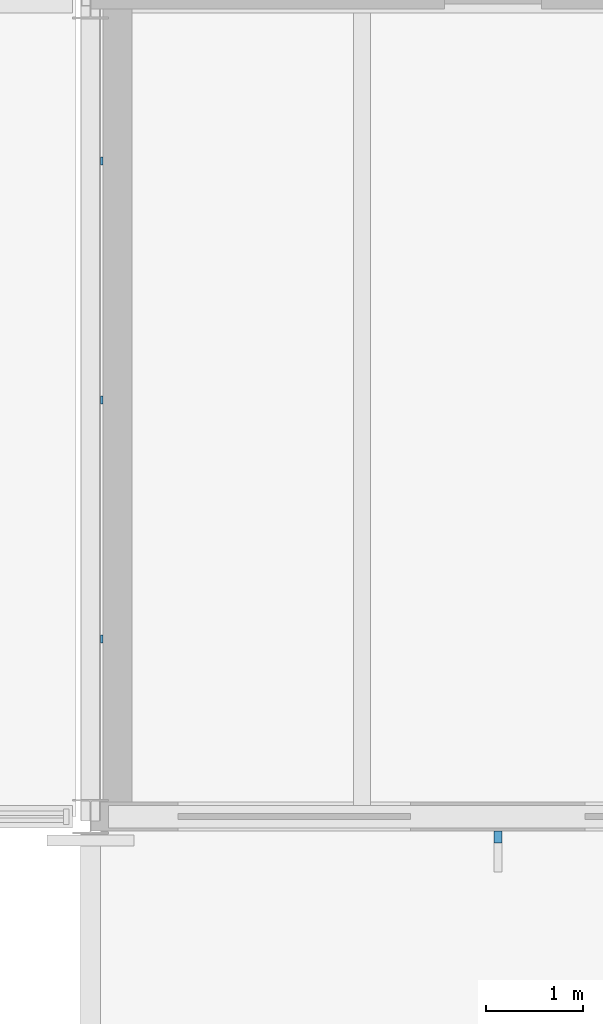
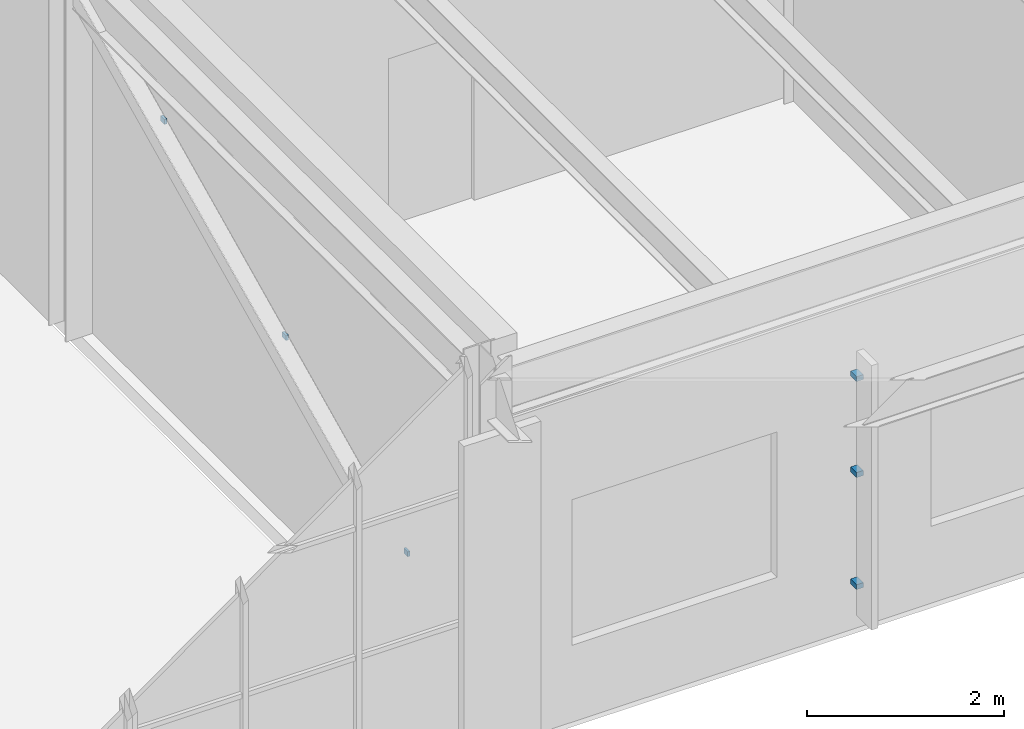
# One storey, part 95 of 116: 6 discrete accessories.
"""IFC4 building model written with IfcOpenShell, lengths in metres."""

import ifcopenshell
import ifcopenshell.guid

model = None  # the IFC model being written
_history = None  # IfcOwnerHistory: only IFC2X3 demands one
_inside = {}  # id of a spatial element -> (the spatial element, [elements in it])
_under = {}  # id of a project, library or spatial element -> (it, [spatial elements below it])
_declared = {}  # id of a project -> (the project, [libraries it declares])
_typed = {}  # id of a type object -> (the type object, [elements of that type])
_made_of = {}  # id of a material, layer set ... -> (it, [elements and type objects made of it])


def new_model(schema):
    """Start an empty IFC model of exactly this schema.

    Asked for "IFC4X3", IfcOpenShell would pick the latest addendum, in which some entities
    have other attributes; the version numbers below select the first issue.
    IFC2X3 requires an IfcOwnerHistory on every rooted entity: one is made here for all.
    """
    global model, _history
    if schema == "IFC4X3":
        model = ifcopenshell.file(schema_version=(4, 3, 0, 0))
    else:
        model = ifcopenshell.file(schema=schema)
    _inside.clear()
    _under.clear()
    _declared.clear()
    _typed.clear()
    _made_of.clear()
    _history = None
    if model.schema == "IFC2X3":
        org = make("IfcOrganization", Name="unknown")
        user = make(
            "IfcPersonAndOrganization",
            ThePerson=make("IfcPerson", FamilyName="unknown"),
            TheOrganization=org,
        )
        app = make(
            "IfcApplication",
            ApplicationDeveloper=org,
            Version="unknown",
            ApplicationFullName="unknown",
            ApplicationIdentifier="unknown",
        )
        _history = make(
            "IfcOwnerHistory",
            OwningUser=user,
            OwningApplication=app,
            ChangeAction="ADDED",
            CreationDate=0,
        )
    return model


def make(cls, **values):
    """One entity of the class cls with the attributes given. An attribute that is None is left unset."""
    return model.create_entity(
        cls, **{name: value for name, value in values.items() if value is not None}
    )


def rooted(cls, **values):
    """An entity with a GlobalId (a new one), such as an element, a storey or a relation."""
    return make(cls, GlobalId=ifcopenshell.guid.new(), OwnerHistory=_history, **values)


def si_unit(unit_type, name, prefix=None):
    """IfcSIUnit, for example si_unit("LENGTHUNIT", "METRE", prefix="MILLI")."""
    return make("IfcSIUnit", UnitType=unit_type, Prefix=prefix, Name=name)


def assignment(units):
    """IfcUnitAssignment: the units of a project."""
    return None if units is None else make("IfcUnitAssignment", Units=units)


def point(xyz):
    """IfcCartesianPoint."""
    return None if xyz is None else make("IfcCartesianPoint", Coordinates=xyz)


def direction(xyz):
    """IfcDirection."""
    return None if xyz is None else make("IfcDirection", DirectionRatios=xyz)


def frame(location, z_axis=None, x_axis=None):
    """IfcAxis2Placement3D, a coordinate frame: its origin and axes. An axis left out is left unset."""
    return make(
        "IfcAxis2Placement3D",
        Location=point(location),
        Axis=direction(z_axis),
        RefDirection=direction(x_axis),
    )


def frame_2d(location, x_axis=None):
    """IfcAxis2Placement2D, a coordinate frame in the plane: its origin and x axis."""
    return make(
        "IfcAxis2Placement2D", Location=point(location), RefDirection=direction(x_axis)
    )


def origin():
    """The frame at (0, 0, 0) with its axes left unset."""
    return frame((0.0, 0.0, 0.0))


def origin_2d():
    """The frame at (0, 0) in the plane with its x axis left unset."""
    return frame_2d((0.0, 0.0))


def place(relative_to, where):
    """IfcLocalPlacement: puts the frame where relative to a parent placement (None: the world)."""
    return make(
        "IfcLocalPlacement", PlacementRelTo=relative_to, RelativePlacement=where
    )


def context(
    kind, dimensions, precision=None, world=None, true_north=None, identifier=None
):
    """IfcGeometricRepresentationContext, for example the 3D "Model" context."""
    return make(
        "IfcGeometricRepresentationContext",
        ContextIdentifier=identifier,
        ContextType=kind,
        CoordinateSpaceDimension=dimensions,
        Precision=precision,
        WorldCoordinateSystem=world,
        TrueNorth=true_north,
    )


def subcontext(parent, identifier, kind, view, scale=None):
    """IfcGeometricRepresentationSubContext, for example "Body" below "Model"."""
    return make(
        "IfcGeometricRepresentationSubContext",
        ContextIdentifier=identifier,
        ContextType=kind,
        ParentContext=parent,
        TargetScale=scale,
        TargetView=view,
    )


def project(units=None, contexts=None):
    """IfcProject with its units and contexts."""
    return rooted(
        "IfcProject",
        Name="project",
        RepresentationContexts=contexts,
        UnitsInContext=assignment(units),
    )


def spatial(cls, under=None, at=None, **own):
    """A site, building, storey or space (cls), placed at a placement, below another one or the project."""
    s = rooted(cls, ObjectPlacement=at, **own)
    if under is not None:
        _under.setdefault(under.id(), (under, []))[1].append(s)
    return s


def profile(cls, at=None, kind="AREA", **sizes):
    """A parametric profile (cls). Its sizes go by their IFC names, for example OverallWidth=200.0."""
    return make(cls, ProfileType=kind, Position=at, **sizes)


def rectangle(**sizes):
    """IfcRectangleProfileDef."""
    return profile("IfcRectangleProfileDef", **sizes)


def extrude(swept, where, along, depth):
    """IfcExtrudedAreaSolid: the profile swept, set in the frame where, extruded along a direction by depth."""
    return make(
        "IfcExtrudedAreaSolid",
        SweptArea=swept,
        Position=where,
        ExtrudedDirection=direction(along),
        Depth=depth,
    )


def shape(context_of_items, identifier, shape_type, items):
    """IfcShapeRepresentation: the items that make up one representation, for example the "Body"."""
    return make(
        "IfcShapeRepresentation",
        ContextOfItems=context_of_items,
        RepresentationIdentifier=identifier,
        RepresentationType=shape_type,
        Items=items,
    )


def material(Name=None, Category=None):
    """IfcMaterial."""
    return make("IfcMaterial", Name=Name, Category=Category)


def made_of(thing, what):
    """Note that an element or type object is made of a material, layer set ...; save() writes the relation."""
    if what is not None:
        _made_of.setdefault(what.id(), (what, []))[1].append(thing)
    return thing


def type_object(cls, material=None, **own):
    """A type object (cls), such as IfcWallType, which elements share."""
    return made_of(rooted(cls, **own), material)


def element(
    cls,
    number,
    at=None,
    inside=None,
    cuts=None,
    type_object=None,
    material=None,
    context=None,
    identifier="Body",
    shape_type=None,
    held_by="IfcProductDefinitionShape",
    body=None,
    shapes=None,
    **own,
):
    """One element of the class cls, such as IfcWall. Its Tag is "e" and its number.

    at: its placement. inside: the storey or other place that contains it. cuts: it is an
    opening in that element (IfcRelVoidsElement). A single representation is given by context,
    identifier, shape_type and body (its items); several are given by shapes. held_by: the class
    of the entity that holds the representations. save() writes the other relations.
    """
    e = rooted(cls, Tag="e%d" % number, ObjectPlacement=at, **own)
    if body is not None:
        shapes = [shape(context, identifier, shape_type, body)]
    if shapes is not None:
        e.Representation = make(held_by, Representations=shapes)
    if inside is not None:
        _inside.setdefault(inside.id(), (inside, []))[1].append(e)
    if cuts is not None:
        rooted(
            "IfcRelVoidsElement", RelatingBuildingElement=cuts, RelatedOpeningElement=e
        )
    if type_object is not None:
        _typed.setdefault(type_object.id(), (type_object, []))[1].append(e)
    return made_of(e, material)


def aggregate(whole, parts):
    """IfcRelAggregates: a whole, such as a stair, and the parts it consists of."""
    return rooted("IfcRelAggregates", RelatingObject=whole, RelatedObjects=parts)


def save(model, path):
    """Write the relations noted so far, then the file.

    IfcRelAggregates (storeys below a building ...), IfcRelContainedInSpatialStructure (elements
    in a storey), IfcRelDefinesByType, IfcRelAssociatesMaterial and IfcRelDeclares: one each for
    every whole, place, type object, material and project.
    """
    for whole, parts in _under.values():
        aggregate(whole, parts)
    for where, things in _inside.values():
        rooted(
            "IfcRelContainedInSpatialStructure",
            RelatedElements=things,
            RelatingStructure=where,
        )
    for kind, things in _typed.values():
        rooted("IfcRelDefinesByType", RelatedObjects=things, RelatingType=kind)
    for what, things in _made_of.values():
        rooted("IfcRelAssociatesMaterial", RelatedObjects=things, RelatingMaterial=what)
    for by, libraries in _declared.values():
        rooted("IfcRelDeclares", RelatingContext=by, RelatedDefinitions=libraries)
    model.write(path)


model = new_model("IFC4")

# Units and contexts
model_context = context("Model", 3, precision=1e-05, world=origin(), true_north=direction((0.0, 1.0)))
body_context = subcontext(model_context, "Body", "Model", "MODEL_VIEW")
ifc_project = project(units=[si_unit("LENGTHUNIT", "METRE"), si_unit("AREAUNIT", "SQUARE_METRE"), si_unit("VOLUMEUNIT", "CUBIC_METRE"), si_unit("PLANEANGLEUNIT", "RADIAN"), si_unit("MASSUNIT", "GRAM", prefix="KILO")], contexts=[model_context])

# Site, building, storey
site_placement = place(None, origin())
site = spatial("IfcSite", under=ifc_project, at=site_placement, CompositionType="ELEMENT")
building_placement = place(site_placement, origin())
building = spatial("IfcBuilding", under=site, at=building_placement, Name="Ljudholm Concert House", CompositionType="ELEMENT")
storey_placement = place(building_placement, frame((0.0, 0.0, 10.199951171875)))
storey = spatial("IfcBuildingStorey", under=building, at=storey_placement, Name="L02", CompositionType="ELEMENT", Elevation=10.199951171875)

# Discrete accessories
ifc_material_1 = material(Name="Stainless steel bracket", Category="steel")
discrete_accessory_type_1 = type_object("IfcDiscreteAccessoryType", Name="BRACKET 120", PredefinedType="BRACKET", material=ifc_material_1)
for number, where, z_axis, x_axis, name in (
    (1, (58.60009765625, 104.590087890625, 0.570068359375), (0.0, 0.0, 1.0), (0.0, -1.0, 0.0), "Fin bracket"),
    (2, (58.60009765625, 104.590087890625, 1.955078125), (0.0, 0.0, 1.0), (0.0, -1.0, 0.0), "Fin bracket"),
    (3, (58.60009765625, 104.590087890625, 3.14013671875), (0.0, 0.0, 1.0), (0.0, -1.0, 0.0), "Fin bracket"),
):
    element("IfcDiscreteAccessory", number, at=place(storey_placement, frame(where, z_axis=z_axis, x_axis=x_axis)), inside=storey, type_object=discrete_accessory_type_1, Name=name, PredefinedType="BRACKET", context=body_context, shape_type="SweptSolid", body=[
        extrude(rectangle(XDim=0.1201171875, YDim=0.080078125, at=origin_2d()), origin(), (0.0, 0.0, 1.0), 0.06005859375),
    ])
ifc_material_2 = material(Name="Stainless steel bracket", Category="steel")
discrete_accessory_type_2 = type_object("IfcDiscreteAccessoryType", Name="PANEL BRACKET", PredefinedType="BRACKET", material=ifc_material_2)
for number, where, z_axis, x_axis, name in (
    (4, (54.515625, 106.632080078125, 1.146728515625), (0.0, 0.0, 1.0), (1.0, 0.0, 0.0), "Panel bracket"),
    (5, (54.515625, 109.094970703125, 2.325439453125), (0.0, 0.0, 1.0), (1.0, 0.0, 0.0), "Panel bracket"),
    (6, (54.515625, 111.55810546875, 3.504150390625), (0.0, 0.0, 1.0), (1.0, 0.0, 0.0), "Panel bracket"),
):
    element("IfcDiscreteAccessory", number, at=place(storey_placement, frame(where, z_axis=z_axis, x_axis=x_axis)), inside=storey, type_object=discrete_accessory_type_2, Name=name, PredefinedType="BRACKET", context=body_context, shape_type="SweptSolid", body=[
        extrude(rectangle(XDim=0.028076171875, YDim=0.080078125, at=origin_2d()), origin(), (0.0, 0.0, 1.0), 0.06005859375),
    ])

save(model, "model.ifc")
